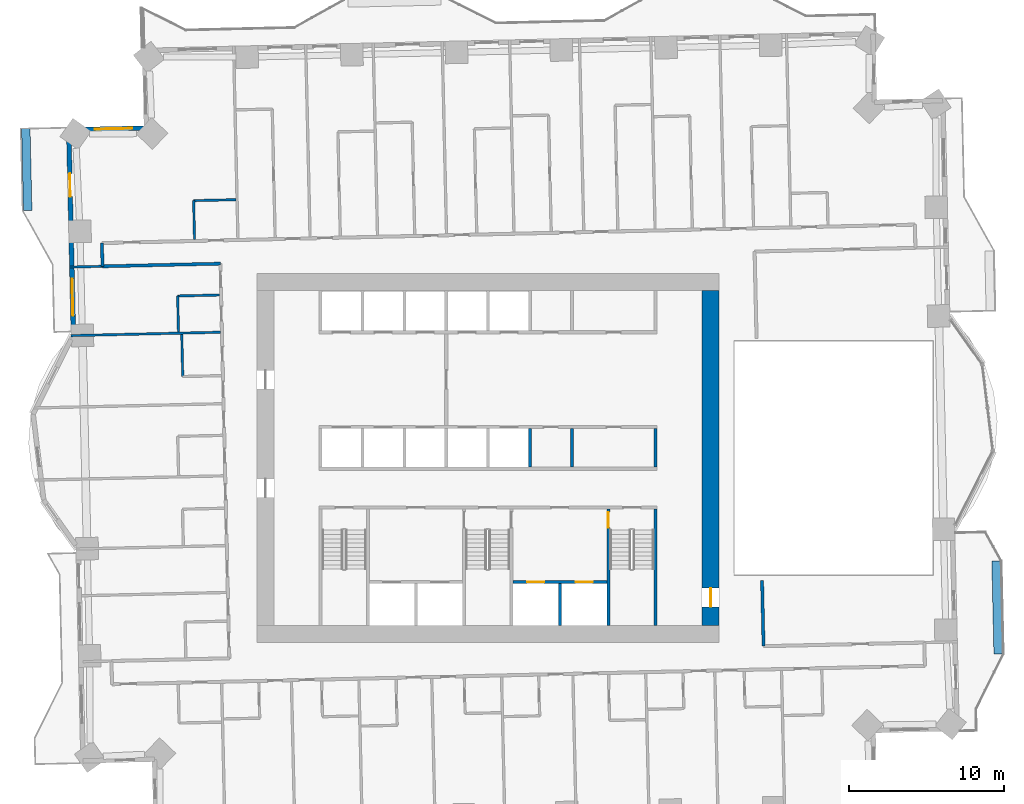
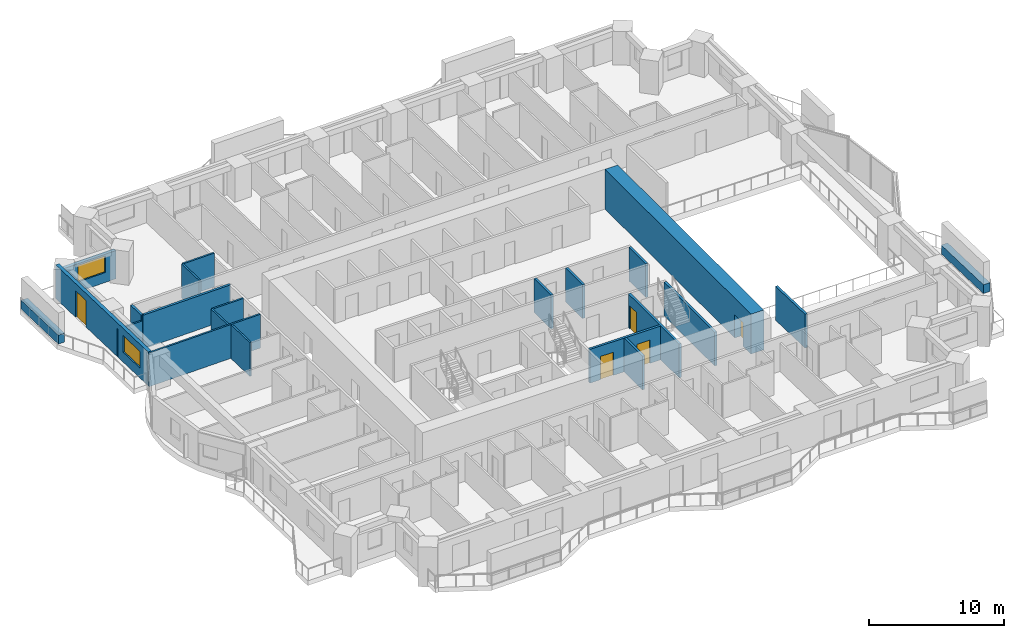
# One storey, part 10 of 17: 22 walls, 5 doors, 2 windows, 7 openings.
"""IFC4 building model written with IfcOpenShell, lengths in metres."""

from ifc_helpers import new_model, si_unit, direction, frame, frame_2d, origin, place, context, subcontext, project, spatial, rectangle, extrude, material, layer, layer_set, type_object, element, fill, save


model = new_model("IFC4")

# Units and contexts
model_context = context("Model", 3, precision=1e-05, world=origin(), true_north=direction((0.0, 1.0)))
body_context = subcontext(model_context, "Body", "Model", "MODEL_VIEW")
ifc_project = project(units=[si_unit("LENGTHUNIT", "METRE"), si_unit("AREAUNIT", "SQUARE_METRE"), si_unit("VOLUMEUNIT", "CUBIC_METRE"), si_unit("PLANEANGLEUNIT", "RADIAN"), si_unit("MASSUNIT", "GRAM", prefix="KILO")], contexts=[model_context])

# Site, building, storey
site_placement = place(None, origin())
site = spatial("IfcSite", under=ifc_project, at=site_placement, CompositionType="ELEMENT")
building_placement = place(site_placement, origin())
building = spatial("IfcBuilding", under=site, at=building_placement, Name="Mangrove Gate Tower", CompositionType="ELEMENT")
storey_placement = place(building_placement, frame((0.0, 0.0, 79.300048828125)))
storey = spatial("IfcBuildingStorey", under=building, at=storey_placement, Name="L19", CompositionType="ELEMENT", Elevation=79.300048828125)

# Walls
ifc_material_1 = material(Name="Concrete C32/40", Category="concrete")
ifc_layer_1 = layer(ifc_material_1, 0.199951171875)
ifc_layer_set_1 = layer_set([ifc_layer_1], Name="Core room wall 200 C32/40")
wall_type_1 = type_object("IfcWallType", Name="Core room wall 200 C32/40", PredefinedType="STANDARD", material=ifc_layer_set_1)
for number, where, z_axis, x_axis, name in (
    (1, (5.39990234375, -0.60009765625, 0.0), (0.0, 0.0, 1.0), (0.0, 1.0, 0.0), "WALL-L19-CORE-25"),
    (2, (10.800048828125, -0.60009765625, 0.0), (0.0, 0.0, 1.0), (0.0, 1.0, 0.0), "WALL-L19-CORE-26"),
):
    element("IfcWall", number, at=place(storey_placement, frame(where, z_axis=z_axis, x_axis=x_axis)), inside=storey, type_object=wall_type_1, Name=name, PredefinedType="STANDARD", context=body_context, shape_type="SweptSolid", body=[
        extrude(rectangle(XDim=2.5, YDim=0.199951171875, at=frame_2d((1.25, 0.0))), origin(), (0.0, 0.0, 1.0), 3.050048828125),
    ])

# Wall, openings, doors
ifc_material_2 = material(Name="Concrete C70/85", Category="concrete")
ifc_layer_2 = layer(ifc_material_2, 0.199951171875)
ifc_layer_set_2 = layer_set([ifc_layer_2], Name="Core shaft wall 200 C70/85")
wall_type_2 = type_object("IfcWallType", Name="Core shaft wall 200 C70/85", PredefinedType="SHEAR", material=ifc_layer_set_2)
wall_1_placement = place(storey_placement, frame((1.60009765625, -8.0, 0.0), z_axis=(0.0, 0.0, 1.0), x_axis=(1.0, 0.0, 0.0)))
wall_1 = element("IfcWall", 3, at=wall_1_placement, inside=storey, type_object=wall_type_2, Name="WALL-L19-CORE-17", PredefinedType="SHEAR", context=body_context, shape_type="SweptSolid", body=[
    extrude(rectangle(XDim=6.0498046875, YDim=0.199951171875, at=frame_2d((3.02490234375, 0.0))), origin(), (0.0, 0.0, 1.0), 3.050048828125),
])
opening_1_placement = place(wall_1_placement, frame((0.91259765625, 0.0, 0.0)))
opening_1 = element("IfcOpeningElement", 4, at=opening_1_placement, cuts=wall_1, Name="Opening LD", PredefinedType="OPENING", context=body_context, shape_type="SweptSolid", body=[
    extrude(rectangle(XDim=1.10009765625, YDim=2.10009765625, at=frame_2d((0.550048828125, 1.050048828125))), frame((0.0, 0.10986328125, 0.0), z_axis=(0.0, -1.0, 0.0), x_axis=(1.0, 0.0, 0.0)), (0.0, 0.0, 1.0), 0.219970703125),
])
opening_2_placement = place(wall_1_placement, frame((4.03759765625, 0.0, 0.0)))
opening_2 = element("IfcOpeningElement", 5, at=opening_2_placement, cuts=wall_1, Name="Opening LD", PredefinedType="OPENING", context=body_context, shape_type="SweptSolid", body=[
    extrude(rectangle(XDim=1.10009765625, YDim=2.10009765625, at=frame_2d((0.550048828125, 1.050048828125))), frame((0.0, 0.10986328125, 0.0), z_axis=(0.0, -1.0, 0.0), x_axis=(1.0, 0.0, 0.0)), (0.0, 0.0, 1.0), 0.219970703125),
])
ifc_material_3 = material(Name="Stainless steel 316", Category="steel")
door_type_1 = type_object("IfcDoorType", Name="Lift landing door 1100x2100", OperationType="SLIDING_TO_LEFT", PredefinedType="DOOR", material=ifc_material_3)
door_1_placement = place(opening_1_placement, origin())
door_1 = element("IfcDoor", 6, at=door_1_placement, inside=storey, type_object=door_type_1, Name="Landing door LD FFL1", OperationType="SLIDING_TO_LEFT", OverallHeight=2.10009765625, OverallWidth=1.10009765625, PredefinedType="DOOR", context=body_context, shape_type="SweptSolid", body=[
    extrude(rectangle(XDim=1.10009765625, YDim=2.10009765625, at=frame_2d((0.550048828125, 1.050048828125))), frame((0.0, 0.02490234375, 0.0), z_axis=(0.0, -1.0, 0.0), x_axis=(1.0, 0.0, 0.0)), (0.0, 0.0, 1.0), 0.050048828125),
])
fill(opening_1, door_1)
door_2_placement = place(opening_2_placement, origin())
door_2 = element("IfcDoor", 7, at=door_2_placement, inside=storey, type_object=door_type_1, Name="Landing door LD FFL2", OperationType="SLIDING_TO_LEFT", OverallHeight=2.10009765625, OverallWidth=1.10009765625, PredefinedType="DOOR", context=body_context, shape_type="SweptSolid", body=[
    extrude(rectangle(XDim=1.10009765625, YDim=2.10009765625, at=frame_2d((0.550048828125, 1.050048828125))), frame((0.0, 0.02490234375, 0.0), z_axis=(0.0, -1.0, 0.0), x_axis=(1.0, 0.0, 0.0)), (0.0, 0.0, 1.0), 0.050048828125),
])
fill(opening_2, door_2)

# Walls
wall_2_placement = place(storey_placement, frame((4.625, -10.800048828125, 0.0), z_axis=(0.0, 0.0, 1.0), x_axis=(0.0, 1.0, 0.0)))
element("IfcWall", 8, at=wall_2_placement, inside=storey, type_object=wall_type_2, Name="WALL-L19-CORE-18", PredefinedType="SHEAR", context=body_context, shape_type="SweptSolid", body=[
    extrude(rectangle(XDim=2.699951171875, YDim=0.199951171875, at=frame_2d((1.35009765625, 0.0))), origin(), (0.0, 0.0, 1.0), 3.050048828125),
])
wall_3_placement = place(storey_placement, frame((2.699951171875, -0.60009765625, 0.0), z_axis=(0.0, 0.0, 1.0), x_axis=(0.0, 1.0, 0.0)))
element("IfcWall", 9, at=wall_3_placement, inside=storey, type_object=wall_type_2, Name="WALL-L19-CORE-24", PredefinedType="SHEAR", context=body_context, shape_type="SweptSolid", body=[
    extrude(rectangle(XDim=2.5, YDim=0.199951171875, at=frame_2d((1.25, 0.0))), origin(), (0.0, 0.0, 1.0), 3.050048828125),
])

# Wall, opening, door
ifc_material_4 = material(Name="Concrete C70/85", Category="concrete")
ifc_layer_3 = layer(ifc_material_4, 0.199951171875)
ifc_layer_set_3 = layer_set([ifc_layer_3], Name="Core stair wall 200 C70/85")
wall_type_3 = type_object("IfcWallType", Name="Core stair wall 200 C70/85", PredefinedType="SHEAR", material=ifc_layer_set_3)
wall_4_placement = place(storey_placement, frame((7.75, -10.800048828125, 0.0), z_axis=(0.0, 0.0, 1.0), x_axis=(0.0, 1.0, 0.0)))
wall_4 = element("IfcWall", 10, at=wall_4_placement, inside=storey, type_object=wall_type_3, Name="WALL-L19-CORE-13", PredefinedType="SHEAR", context=body_context, shape_type="SweptSolid", body=[
    extrude(rectangle(XDim=7.5, YDim=0.199951171875, at=frame_2d((3.75, 0.0))), origin(), (0.0, 0.0, 1.0), 3.050048828125),
])
opening_3_placement = place(wall_4_placement, frame((6.300048828125, 0.0, 0.0)))
opening_3 = element("IfcOpeningElement", 11, at=opening_3_placement, cuts=wall_4, Name="Opening STD10", PredefinedType="OPENING", context=body_context, shape_type="SweptSolid", body=[
    extrude(rectangle(XDim=1.0, YDim=2.10009765625, at=frame_2d((0.5, 1.050048828125))), frame((0.0, 0.10986328125, 0.0), z_axis=(0.0, -1.0, 0.0), x_axis=(1.0, 0.0, 0.0)), (0.0, 0.0, 1.0), 0.219970703125),
])
ifc_material_5 = material(Name="Fire-rated steel door set", Category="steel")
door_type_2 = type_object("IfcDoorType", Name="Stair door FD60 1000x2100", OperationType="SINGLE_SWING_RIGHT", PredefinedType="DOOR", material=ifc_material_5)
door_3_placement = place(opening_3_placement, origin())
door_3 = element("IfcDoor", 12, at=door_3_placement, inside=storey, type_object=door_type_2, Name="Stair door Stair 3 from fire-fighting lobby", OperationType="SINGLE_SWING_RIGHT", OverallHeight=2.10009765625, OverallWidth=1.0, PredefinedType="DOOR", context=body_context, shape_type="SweptSolid", body=[
    extrude(rectangle(XDim=1.0, YDim=2.10009765625, at=frame_2d((0.5, 1.050048828125))), frame((0.0, 0.02490234375, 0.0), z_axis=(0.0, -1.0, 0.0), x_axis=(1.0, 0.0, 0.0)), (0.0, 0.0, 1.0), 0.050048828125),
])
fill(opening_3, door_3)

# Wall
wall_5_placement = place(storey_placement, frame((10.800048828125, -10.800048828125, 0.0), z_axis=(0.0, 0.0, 1.0), x_axis=(0.0, 1.0, 0.0)))
element("IfcWall", 13, at=wall_5_placement, inside=storey, type_object=wall_type_3, Name="WALL-L19-CORE-14", PredefinedType="SHEAR", context=body_context, shape_type="SweptSolid", body=[
    extrude(rectangle(XDim=7.5, YDim=0.199951171875, at=frame_2d((3.75, 0.0))), origin(), (0.0, 0.0, 1.0), 3.050048828125),
])

# Wall, opening, door
ifc_material_6 = material(Name="Concrete C70/85", Category="concrete")
ifc_layer_4 = layer(ifc_material_6, 1.10009765625)
ifc_layer_set_4 = layer_set([ifc_layer_4], Name="Core wall 1100 C70/85")
wall_type_4 = type_object("IfcWallType", Name="Core wall 1100 C70/85", PredefinedType="SHEAR", material=ifc_layer_set_4)
wall_6_placement = place(storey_placement, frame((14.35009765625, -10.800048828125, 0.0), z_axis=(0.0, 0.0, 1.0), x_axis=(0.0, 1.0, 0.0)))
wall_6 = element("IfcWall", 14, at=wall_6_placement, inside=storey, type_object=wall_type_4, Name="WALL-L19-CORE-4", PredefinedType="SHEAR", context=body_context, shape_type="SweptSolid", body=[
    extrude(rectangle(XDim=21.60009765625, YDim=1.10009765625, at=frame_2d((10.800048828125, 0.0))), origin(), (0.0, 0.0, 1.0), 3.599853515625),
])
opening_4_placement = place(wall_6_placement, frame((1.199951171875, 0.0, 0.0)))
opening_4 = element("IfcOpeningElement", 15, at=opening_4_placement, cuts=wall_6, Name="Opening CD", PredefinedType="OPENING", context=body_context, shape_type="SweptSolid", body=[
    extrude(rectangle(XDim=1.199951171875, YDim=2.10009765625, at=frame_2d((0.60009765625, 1.050048828125))), frame((0.0, 0.56005859375, 0.0), z_axis=(0.0, -1.0, 0.0), x_axis=(1.0, 0.0, 0.0)), (0.0, 0.0, 1.0), 1.1201171875),
])
ifc_material_7 = material(Name="Fire-rated steel door set", Category="steel")
door_type_3 = type_object("IfcDoorType", Name="Core ring door FD60 1200x2100", OperationType="DOUBLE_DOOR_SINGLE_SWING", PredefinedType="DOOR", material=ifc_material_7)
door_4_placement = place(opening_4_placement, origin())
door_4 = element("IfcDoor", 16, at=door_4_placement, inside=storey, type_object=door_type_3, Name="Core ring door E1", OperationType="DOUBLE_DOOR_SINGLE_SWING", OverallHeight=2.10009765625, OverallWidth=1.199951171875, PredefinedType="DOOR", context=body_context, shape_type="SweptSolid", body=[
    extrude(rectangle(XDim=1.199951171875, YDim=2.10009765625, at=frame_2d((0.60009765625, 1.050048828125))), frame((0.0, 0.02490234375, 0.0), z_axis=(0.0, -1.0, 0.0), x_axis=(1.0, 0.0, 0.0)), (0.0, 0.0, 1.0), 0.050048828125),
])
fill(opening_4, door_4)

# Walls
ifc_material_8 = material(Name="Gypsum board on steel stud, EI 60", Category="steel")
ifc_layer_5 = layer(ifc_material_8, 0.199951171875)
ifc_layer_set_5 = layer_set([ifc_layer_5], Name="Corridor wall EI 60")
wall_type_5 = type_object("IfcWallType", Name="Corridor wall EI 60", PredefinedType="PARTITIONING", material=ifc_layer_set_5)
wall_7_placement = place(storey_placement, frame((17.757080078125, -12.136962890625, 0.0), z_axis=(0.0, 0.0, 1.0), x_axis=(-0.022718785711, 0.999741895079, 0.0)))
element("IfcWall", 17, at=wall_7_placement, inside=storey, type_object=wall_type_5, Name="WALL-L19-038", PredefinedType="PARTITIONING", context=body_context, shape_type="SweptSolid", body=[
    extrude(rectangle(XDim=4.23388671875, YDim=0.199951171875, at=frame_2d((2.116943359375, 0.0))), origin(), (0.0, 0.0, 1.0), 3.050048828125),
])
wall_8_placement = place(storey_placement, frame((-24.861083984375, 12.35205078125, 0.0), z_axis=(0.0, 0.0, 1.0), x_axis=(0.999741736108, 0.02272578017, 0.0)))
element("IfcWall", 18, at=wall_8_placement, inside=storey, type_object=wall_type_5, Name="WALL-L19-056", PredefinedType="PARTITIONING", context=body_context, shape_type="SweptSolid", body=[
    extrude(rectangle(XDim=7.60595703125, YDim=0.199951171875, at=frame_2d((3.802978515625, 0.0))), origin(), (0.0, 0.0, 1.0), 3.050048828125),
])
wall_9_placement = place(storey_placement, frame((-24.860107421875, 12.35205078125, 0.0), z_axis=(0.0, 0.0, 1.0), x_axis=(-0.022617910375, 0.999744182344, 0.0)))
element("IfcWall", 19, at=wall_9_placement, inside=storey, type_object=wall_type_5, Name="WALL-L19-057", PredefinedType="PARTITIONING", context=body_context, shape_type="SweptSolid", body=[
    extrude(rectangle(XDim=1.50048828125, YDim=0.199951171875, at=frame_2d((0.750244140625, 0.0))), origin(), (0.0, 0.0, 1.0), 3.050048828125),
])

# Wall, opening, window
ifc_material_9 = material(Name="Limestone", Category="masonry")
ifc_layer_6 = layer(ifc_material_9, 0.0400390625, Name="Limestone cladding")
ifc_material_10 = material(Name="Ventilated air gap")
ifc_layer_7 = layer(ifc_material_10, 0.0400390625, Name="Ventilated cavity")
ifc_material_11 = material(Name="Mineral wool insulation")
ifc_layer_8 = layer(ifc_material_11, 0.06005859375, Name="Insulation")
ifc_material_12 = material(Name="Breather membrane")
ifc_layer_9 = layer(ifc_material_12, 0.001953125, Name="Breather membrane")
ifc_material_13 = material(Name="Concrete C20/25 blockwork", Category="masonry")
ifc_layer_10 = layer(ifc_material_13, 0.14990234375, Name="Blockwork backing wall")
ifc_material_14 = material(Name="Gypsum plaster")
ifc_layer_11 = layer(ifc_material_14, 0.008056640625, Name="Internal plaster")
ifc_layer_set_6 = layer_set([ifc_layer_6, ifc_layer_7, ifc_layer_8, ifc_layer_9, ifc_layer_10, ifc_layer_11], Name="External wall 300 limestone cladding")
wall_type_6 = type_object("IfcWallType", Name="External wall 300 limestone cladding", PredefinedType="SOLIDWALL", material=ifc_layer_set_6)
wall_10_placement = place(storey_placement, frame((-22.037109375, 21.26904296875, 0.0), z_axis=(0.0, 0.0, 1.0), x_axis=(-0.999739992103, -0.022802372469, 0.0)))
wall_10 = element("IfcWall", 20, at=wall_10_placement, inside=storey, type_object=wall_type_6, Name="WALL-L19-N7", PredefinedType="SOLIDWALL", context=body_context, shape_type="SweptSolid", body=[
    extrude(rectangle(XDim=5.0, YDim=0.300048828125, at=frame_2d((2.5, 0.0))), origin(), (0.0, 0.0, 1.0), 2.550048828125),
])
opening_5_placement = place(wall_10_placement, frame((0.907958984375, 0.0, 0.89990234375)))
opening_5 = element("IfcOpeningElement", 21, at=opening_5_placement, cuts=wall_10, Name="Opening W2", PredefinedType="OPENING", context=body_context, shape_type="SweptSolid", body=[
    extrude(rectangle(XDim=2.39990234375, YDim=1.5, at=frame_2d((1.199951171875, 0.75))), frame((0.0, 0.159912109375, 0.0), z_axis=(0.0, -1.0, 0.0), x_axis=(1.0, 0.0, 0.0)), (0.0, 0.0, 1.0), 0.320068359375),
])
ifc_material_15 = material(Name="Aluminium frame with double-glazed low-e glass", Category="aluminium")
window_type = type_object("IfcWindowType", Name="Corner room window 2400x1500", PartitioningType="DOUBLE_PANEL_VERTICAL", PredefinedType="WINDOW", material=ifc_material_15)
window_1_placement = place(opening_5_placement, origin())
window_1 = element("IfcWindow", 22, at=window_1_placement, inside=storey, type_object=window_type, Name="WIN-L19-N7-1", OverallHeight=1.5, OverallWidth=2.39990234375, PartitioningType="DOUBLE_PANEL_VERTICAL", PredefinedType="WINDOW", context=body_context, shape_type="SweptSolid", body=[
    extrude(rectangle(XDim=2.39990234375, YDim=1.5, at=frame_2d((1.199951171875, 0.75))), frame((0.0, 0.030029296875, 0.0), z_axis=(0.0, -1.0, 0.0), x_axis=(1.0, 0.0, 0.0)), (0.0, 0.0, 1.0), 0.06005859375),
])
fill(opening_5, window_1)

# Wall, openings, door, window
wall_11_placement = place(storey_placement, frame((-27.035888671875, 21.155029296875, 0.0), z_axis=(0.0, 0.0, 1.0), x_axis=(0.022730142562, -0.999741636934, 0.0)))
wall_11 = element("IfcWall", 23, at=wall_11_placement, inside=storey, type_object=wall_type_6, Name="WALL-L19-W8", PredefinedType="SOLIDWALL", context=body_context, shape_type="SweptSolid", body=[
    extrude(rectangle(XDim=13.329345703125, YDim=0.300048828125, at=frame_2d((6.66455078125, 0.0))), origin(), (0.0, 0.0, 1.0), 3.050048828125),
])
opening_6_placement = place(wall_11_placement, frame((2.818115234375, 0.0, 0.0)))
opening_6 = element("IfcOpeningElement", 24, at=opening_6_placement, cuts=wall_11, Name="Opening BD1", PredefinedType="OPENING", context=body_context, shape_type="SweptSolid", body=[
    extrude(rectangle(XDim=1.5, YDim=2.39990234375, at=frame_2d((0.75, 1.199951171875))), frame((0.0, 0.159912109375, 0.0), z_axis=(0.0, -1.0, 0.0), x_axis=(1.0, 0.0, 0.0)), (0.0, 0.0, 1.0), 0.320068359375),
])
opening_7_placement = place(wall_11_placement, frame((9.60009765625, 0.0, 0.89990234375)))
opening_7 = element("IfcOpeningElement", 25, at=opening_7_placement, cuts=wall_11, Name="Opening W2", PredefinedType="OPENING", context=body_context, shape_type="SweptSolid", body=[
    extrude(rectangle(XDim=2.39990234375, YDim=1.5, at=frame_2d((1.199951171875, 0.75))), frame((0.0, 0.159912109375, 0.0), z_axis=(0.0, -1.0, 0.0), x_axis=(1.0, 0.0, 0.0)), (0.0, 0.0, 1.0), 0.320068359375),
])
ifc_material_16 = material(Name="Aluminium frame with laminated clear glass", Category="aluminium")
door_type_4 = type_object("IfcDoorType", Name="Balcony sliding door 1500x2400", OperationType="SLIDING_TO_LEFT", PredefinedType="DOOR", material=ifc_material_16)
door_5_placement = place(opening_6_placement, origin())
door_5 = element("IfcDoor", 26, at=door_5_placement, inside=storey, type_object=door_type_4, Name="DOOR-L19-W8-1", OperationType="SLIDING_TO_LEFT", OverallHeight=2.39990234375, OverallWidth=1.5, PredefinedType="DOOR", context=body_context, shape_type="SweptSolid", body=[
    extrude(rectangle(XDim=1.5, YDim=2.39990234375, at=frame_2d((0.75, 1.199951171875))), frame((0.0, 0.02490234375, 0.0), z_axis=(0.0, -1.0, 0.0), x_axis=(1.0, 0.0, 0.0)), (0.0, 0.0, 1.0), 0.050048828125),
])
fill(opening_6, door_5)
window_2_placement = place(opening_7_placement, origin())
window_2 = element("IfcWindow", 27, at=window_2_placement, inside=storey, type_object=window_type, Name="WIN-L19-W8-2", OverallHeight=1.5, OverallWidth=2.39990234375, PartitioningType="DOUBLE_PANEL_VERTICAL", PredefinedType="WINDOW", context=body_context, shape_type="SweptSolid", body=[
    extrude(rectangle(XDim=2.39990234375, YDim=1.5, at=frame_2d((1.199951171875, 0.75))), frame((0.0, 0.030029296875, 0.0), z_axis=(0.0, -1.0, 0.0), x_axis=(1.0, 0.0, 0.0)), (0.0, 0.0, 1.0), 0.06005859375),
])
fill(opening_7, window_2)

# Walls
ifc_material_17 = material(Name="Gypsum board on steel stud, EI 60", Category="steel")
ifc_layer_12 = layer(ifc_material_17, 0.14990234375)
ifc_layer_set_7 = layer_set([ifc_layer_12], Name="Party wall 150 EI 60")
wall_type_7 = type_object("IfcWallType", Name="Party wall 150 EI 60", PredefinedType="PARTITIONING", material=ifc_layer_set_7)
wall_12_placement = place(storey_placement, frame((-19.68701171875, 5.242919921875, 0.0), z_axis=(0.0, 0.0, 1.0), x_axis=(-0.022758040381, 0.999741002259, 0.0)))
element("IfcWall", 28, at=wall_12_placement, inside=storey, type_object=wall_type_7, Name="WALL-L19-049", PredefinedType="PARTITIONING", context=body_context, shape_type="SweptSolid", body=[
    extrude(rectangle(XDim=2.724853515625, YDim=0.14990234375, at=frame_2d((1.3623046875, 0.0))), origin(), (0.0, 0.0, 1.0), 3.050048828125),
])
wall_13_placement = place(storey_placement, frame((-19.9619140625, 8.112060546875, 0.0), z_axis=(0.0, 0.0, 1.0), x_axis=(-0.022781023197, 0.999740478815, 0.0)))
element("IfcWall", 29, at=wall_13_placement, inside=storey, type_object=wall_type_7, Name="WALL-L19-052", PredefinedType="PARTITIONING", context=body_context, shape_type="SweptSolid", body=[
    extrude(rectangle(XDim=2.325439453125, YDim=0.14990234375, at=frame_2d((1.16259765625, 0.0))), origin(), (0.0, 0.0, 1.0), 3.050048828125),
])
wall_14_placement = place(storey_placement, frame((-26.885009765625, 7.885009765625, 0.0), z_axis=(0.0, 0.0, 1.0), x_axis=(0.999741468995, 0.022737527832, 0.0)))
element("IfcWall", 30, at=wall_14_placement, inside=storey, type_object=wall_type_7, Name="WALL-L19-053", PredefinedType="PARTITIONING", context=body_context, shape_type="SweptSolid", body=[
    extrude(rectangle(XDim=9.63134765625, YDim=0.14990234375, at=frame_2d((4.815673828125, 0.0))), origin(), (0.0, 0.0, 1.0), 3.050048828125),
])
wall_15_placement = place(storey_placement, frame((-20.010009765625, 10.44189453125, 0.0), z_axis=(0.0, 0.0, 1.0), x_axis=(0.999744396973, 0.02260842146, 0.0)))
element("IfcWall", 31, at=wall_15_placement, inside=storey, type_object=wall_type_7, Name="WALL-L19-054", PredefinedType="PARTITIONING", context=body_context, shape_type="SweptSolid", body=[
    extrude(rectangle(XDim=2.69970703125, YDim=0.14990234375, at=frame_2d((1.349853515625, 0.0))), origin(), (0.0, 0.0, 1.0), 3.050048828125),
])
wall_16_placement = place(storey_placement, frame((-26.985107421875, 12.303955078125, 0.0), z_axis=(0.0, 0.0, 1.0), x_axis=(0.99973426125, 0.02305226414, 0.0)))
element("IfcWall", 32, at=wall_16_placement, inside=storey, type_object=wall_type_7, Name="WALL-L19-055", PredefinedType="PARTITIONING", context=body_context, shape_type="SweptSolid", body=[
    extrude(rectangle(XDim=2.128662109375, YDim=0.14990234375, at=frame_2d((1.064453125, 0.0))), origin(), (0.0, 0.0, 1.0), 2.550048828125),
])
wall_17_placement = place(storey_placement, frame((-18.927001953125, 14.0869140625, 0.0), z_axis=(0.0, 0.0, 1.0), x_axis=(-0.02274801823, 0.999741230352, 0.0)))
element("IfcWall", 33, at=wall_17_placement, inside=storey, type_object=wall_type_7, Name="WALL-L19-062", PredefinedType="PARTITIONING", context=body_context, shape_type="SweptSolid", body=[
    extrude(rectangle(XDim=2.500732421875, YDim=0.14990234375, at=frame_2d((1.25048828125, 0.0))), origin(), (0.0, 0.0, 1.0), 3.050048828125),
])
wall_18_placement = place(storey_placement, frame((-18.97998046875, 16.5869140625, 0.0), z_axis=(0.0, 0.0, 1.0), x_axis=(0.999740955847, 0.022760079124, 0.0)))
element("IfcWall", 34, at=wall_18_placement, inside=storey, type_object=wall_type_7, Name="WALL-L19-082", PredefinedType="PARTITIONING", context=body_context, shape_type="SweptSolid", body=[
    extrude(rectangle(XDim=2.724609375, YDim=0.14990234375, at=frame_2d((1.3623046875, 0.0))), origin(), (0.0, 0.0, 1.0), 3.050048828125),
])
ifc_material_18 = material(Name="Concrete C32/40", Category="concrete")
ifc_layer_13 = layer(ifc_material_18, 0.199951171875, Name="Planter trough wall")
ifc_material_19 = material(Name="Bituminous waterproofing membrane")
ifc_layer_14 = layer(ifc_material_19, 0.0048828125, Name="Waterproofing")
ifc_material_20 = material(Name="Drainage board and gravel")
ifc_layer_15 = layer(ifc_material_20, 0.044921875, Name="Drainage layer")
ifc_material_21 = material(Name="Planting soil")
ifc_layer_16 = layer(ifc_material_21, 0.300048828125, Name="Growing medium")
ifc_layer_set_8 = layer_set([ifc_layer_13, ifc_layer_14, ifc_layer_15, ifc_layer_16], Name="Planter wall 550 C32/40")
wall_type_8 = type_object("IfcWallType", Name="Planter wall 550 C32/40", PredefinedType="USERDEFINED", material=ifc_layer_set_8)
wall_19_placement = place(storey_placement, frame((32.883056640625, -12.64404296875, 0.0), z_axis=(0.0, 0.0, 1.0), x_axis=(-0.022662255828, 0.999743178102, 0.0)))
element("IfcWall", 35, at=wall_19_placement, inside=storey, type_object=wall_type_8, Name="PLANTER L19 E0.1", ObjectType="PLANTER", PredefinedType="USERDEFINED", context=body_context, shape_type="SweptSolid", body=[
    extrude(rectangle(XDim=6.00048828125, YDim=0.550048828125, at=frame_2d((3.000244140625, 0.0))), origin(), (0.0, 0.0, 1.0), 0.800048828125),
])
wall_20_placement = place(storey_placement, frame((-29.68310546875, 15.944091796875, 0.0), z_axis=(0.0, 0.0, 1.0), x_axis=(-0.022805127419, 0.999739929263, 0.0)))
element("IfcWall", 36, at=wall_20_placement, inside=storey, type_object=wall_type_8, Name="PLANTER L19 W0.1", ObjectType="PLANTER", PredefinedType="USERDEFINED", context=body_context, shape_type="SweptSolid", body=[
    extrude(rectangle(XDim=5.29931640625, YDim=0.550048828125, at=frame_2d((2.649658203125, 0.0))), origin(), (0.0, 0.0, 1.0), 0.800048828125),
])

save(model, "model.ifc")
